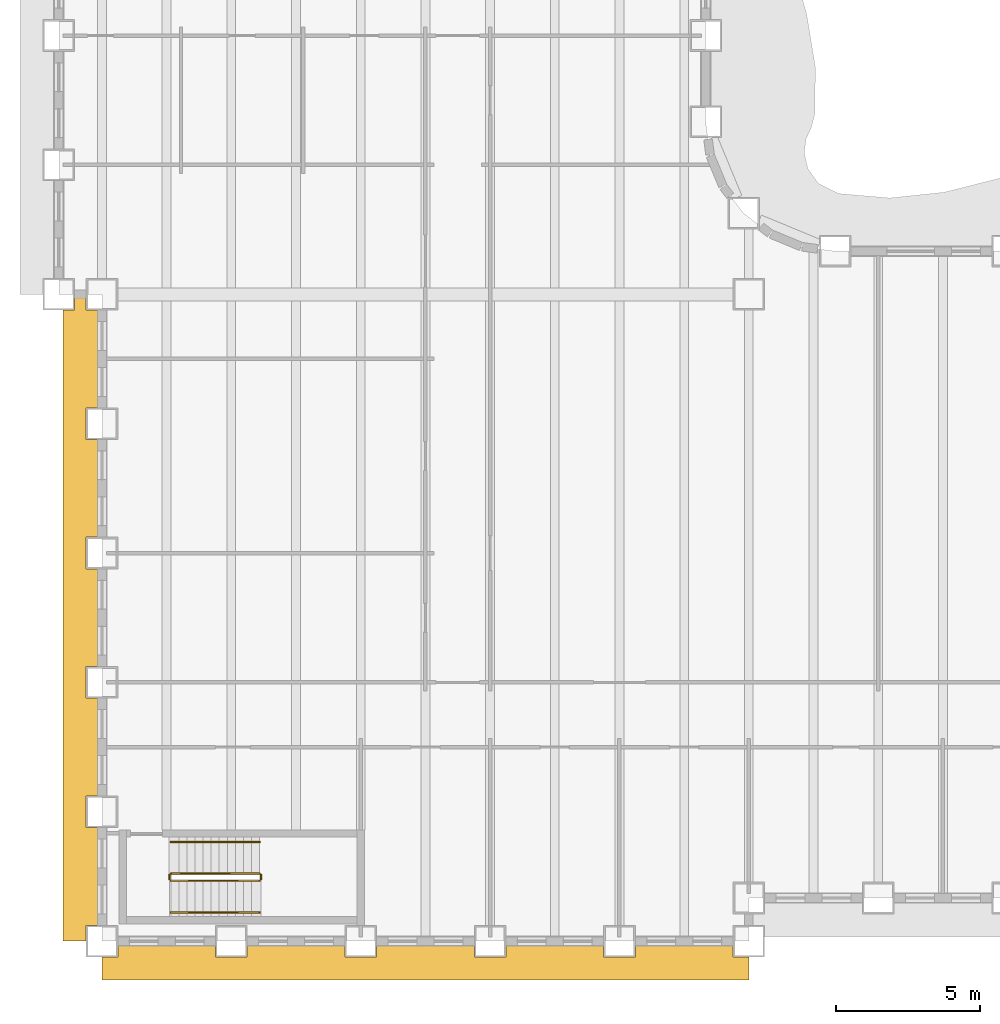
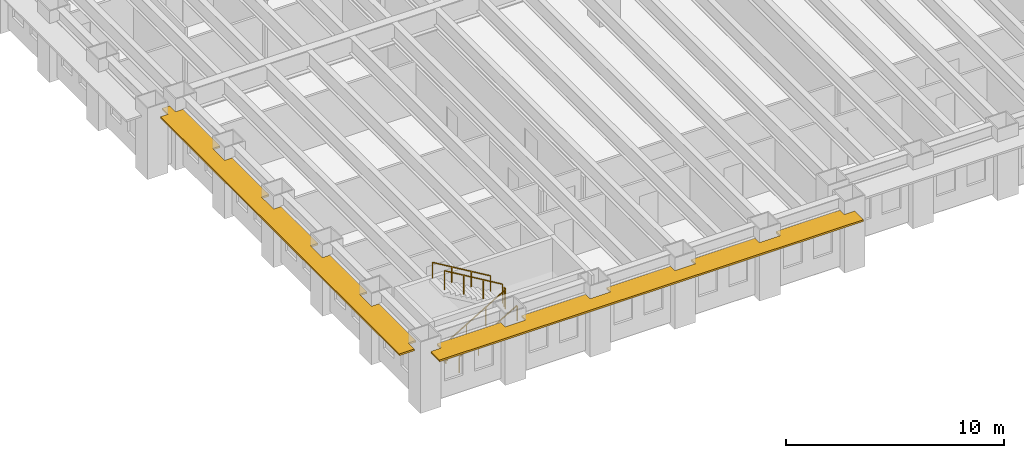
# One storey, part 11 of 16: 6 railings, 2 shading devices.
"""IFC4 building model written with IfcOpenShell, lengths in metres."""

from ifc_helpers import new_model, si_unit, direction, frame, origin, origin_2d, place, context, subcontext, project, spatial, polyline, rectangle, outline, extrude, material, layer, layer_set, type_object, element, save


model = new_model("IFC4")

# Units and contexts
model_context = context("Model", 3, precision=1e-05, world=origin(), true_north=direction((0.0, 1.0)))
body_context = subcontext(model_context, "Body", "Model", "MODEL_VIEW")
ifc_project = project(units=[si_unit("LENGTHUNIT", "METRE"), si_unit("AREAUNIT", "SQUARE_METRE"), si_unit("VOLUMEUNIT", "CUBIC_METRE"), si_unit("PLANEANGLEUNIT", "RADIAN"), si_unit("MASSUNIT", "GRAM", prefix="KILO")], contexts=[model_context])

# Site, building, storey
site_placement = place(None, origin())
site = spatial("IfcSite", under=ifc_project, at=site_placement, CompositionType="ELEMENT")
building_placement = place(site_placement, origin())
building = spatial("IfcBuilding", under=site, at=building_placement, Name="Sennacour Bend Tower", CompositionType="ELEMENT")
storey_placement = place(building_placement, frame((0.0, 0.0, 57.0)))
storey = spatial("IfcBuildingStorey", under=building, at=storey_placement, Name="L12", CompositionType="ELEMENT", Elevation=57.0)

# Railings
ifc_material_1 = material(Name="Stainless steel", Category="steel")
railing_type_1 = type_object("IfcRailingType", Name="RL-GUARD-1100", PredefinedType="GUARDRAIL", material=ifc_material_1)
railing_1_placement = place(storey_placement, frame((2.39990234375, 2.10009765625, 0.166748046875)))
element("IfcRailing", 1, at=railing_1_placement, inside=storey, type_object=railing_type_1, Name="L12 SK1 stair guard 1", PredefinedType="GUARDRAIL", context=body_context, shape_type="SweptSolid", body=[
    extrude(rectangle(XDim=0.048095703125, YDim=0.048095703125, at=origin_2d()), frame((0.0, 0.0, 1.076171875), z_axis=(0.859308565015, 0.0, 0.511457515432), x_axis=(0.0, 1.0, 0.0)), (0.0, 0.0, 1.0), 3.58447265625),
    extrude(rectangle(XDim=0.0419921875, YDim=0.0419921875, at=origin_2d()), origin(), (0.0, 0.0, 1.0), 1.052001953125),
    extrude(rectangle(XDim=0.0419921875, YDim=0.0419921875, at=origin_2d()), frame((1.026611328125, 0.0, 0.611083984375)), (0.0, 0.0, 1.0), 1.052001953125),
    extrude(rectangle(XDim=0.0419921875, YDim=0.0419921875, at=origin_2d()), frame((2.053466796875, 0.0, 1.22216796875)), (0.0, 0.0, 1.0), 1.052001953125),
    extrude(rectangle(XDim=0.0419921875, YDim=0.0419921875, at=origin_2d()), frame((3.080078125, 0.0, 1.833251953125)), (0.0, 0.0, 1.0), 1.052001953125),
])
railing_2_placement = place(storey_placement, frame((5.530029296875, 2.14990234375, 2.0)))
element("IfcRailing", 2, at=railing_2_placement, inside=storey, type_object=railing_type_1, Name="L12 SK1 stair guard 2", PredefinedType="GUARDRAIL", context=body_context, shape_type="SweptSolid", body=[
    extrude(rectangle(XDim=0.048095703125, YDim=0.048095703125, at=origin_2d()), frame((0.0, 0.0, 1.076171875), z_axis=(0.0, 1.0, 0.0), x_axis=(-1.0, 0.0, 0.0)), (0.0, 0.0, 1.0), 0.150146484375),
    extrude(rectangle(XDim=0.0419921875, YDim=0.0419921875, at=origin_2d()), origin(), (0.0, 0.0, 1.0), 1.052001953125),
    extrude(rectangle(XDim=0.0419921875, YDim=0.0419921875, at=origin_2d()), frame((0.0, 0.150146484375, 0.0)), (0.0, 0.0, 1.0), 1.052001953125),
])
railing_3_placement = place(storey_placement, frame((5.47998046875, 2.35009765625, 2.166748046875)))
element("IfcRailing", 3, at=railing_3_placement, inside=storey, type_object=railing_type_1, Name="L12 SK1 stair guard 3", PredefinedType="GUARDRAIL", context=body_context, shape_type="SweptSolid", body=[
    extrude(rectangle(XDim=0.048095703125, YDim=0.048095703125, at=origin_2d()), frame((0.0, 0.0, 1.076171875), z_axis=(-0.859308565015, 0.0, 0.511457515432), x_axis=(0.0, -1.0, 0.0)), (0.0, 0.0, 1.0), 3.58447265625),
    extrude(rectangle(XDim=0.0419921875, YDim=0.0419921875, at=origin_2d()), origin(), (0.0, 0.0, 1.0), 1.052001953125),
    extrude(rectangle(XDim=0.0419921875, YDim=0.0419921875, at=origin_2d()), frame((-1.026611328125, 0.0, 0.611083984375)), (0.0, 0.0, 1.0), 1.052001953125),
    extrude(rectangle(XDim=0.0419921875, YDim=0.0419921875, at=origin_2d()), frame((-2.053466796875, 0.0, 1.22216796875)), (0.0, 0.0, 1.0), 1.052001953125),
    extrude(rectangle(XDim=0.0419921875, YDim=0.0419921875, at=origin_2d()), frame((-3.080078125, 0.0, 1.833251953125)), (0.0, 0.0, 1.0), 1.052001953125),
])
railing_4_placement = place(storey_placement, frame((2.35009765625, 2.14990234375, 0.0)))
element("IfcRailing", 4, at=railing_4_placement, inside=storey, type_object=railing_type_1, Name="L12 SK1 stair guard 4", PredefinedType="GUARDRAIL", context=body_context, shape_type="SweptSolid", body=[
    extrude(rectangle(XDim=0.048095703125, YDim=0.048095703125, at=origin_2d()), frame((0.0, 0.0, 1.076171875), z_axis=(0.0, 1.0, 0.0), x_axis=(-1.0, 0.0, 0.0)), (0.0, 0.0, 1.0), 0.150146484375),
    extrude(rectangle(XDim=0.0419921875, YDim=0.0419921875, at=origin_2d()), origin(), (0.0, 0.0, 1.0), 1.052001953125),
    extrude(rectangle(XDim=0.0419921875, YDim=0.0419921875, at=origin_2d()), frame((0.0, 0.150146484375, 0.0)), (0.0, 0.0, 1.0), 1.052001953125),
])
railing_type_2 = type_object("IfcRailingType", Name="RL-HANDRAIL-900", PredefinedType="HANDRAIL", material=ifc_material_1)
railing_5_placement = place(storey_placement, frame((2.39990234375, 1.0, 0.166748046875)))
element("IfcRailing", 5, at=railing_5_placement, inside=storey, type_object=railing_type_2, Name="L12 SK1 stair handrail 1", PredefinedType="HANDRAIL", context=body_context, shape_type="SweptSolid", body=[
    extrude(rectangle(XDim=0.048095703125, YDim=0.048095703125, at=origin_2d()), frame((0.0, 0.0, 0.8759765625), z_axis=(0.859308565015, 0.0, 0.511457515432), x_axis=(0.0, 1.0, 0.0)), (0.0, 0.0, 1.0), 3.58447265625),
    extrude(rectangle(XDim=0.0419921875, YDim=0.0419921875, at=origin_2d()), origin(), (0.0, 0.0, 1.0), 0.851806640625),
    extrude(rectangle(XDim=0.0419921875, YDim=0.0419921875, at=origin_2d()), frame((1.026611328125, 0.0, 0.611083984375)), (0.0, 0.0, 1.0), 0.851806640625),
    extrude(rectangle(XDim=0.0419921875, YDim=0.0419921875, at=origin_2d()), frame((2.053466796875, 0.0, 1.22216796875)), (0.0, 0.0, 1.0), 0.851806640625),
    extrude(rectangle(XDim=0.0419921875, YDim=0.0419921875, at=origin_2d()), frame((3.080078125, 0.0, 1.833251953125)), (0.0, 0.0, 1.0), 0.851806640625),
])
railing_6_placement = place(storey_placement, frame((5.47998046875, 3.449951171875, 2.166748046875)))
element("IfcRailing", 6, at=railing_6_placement, inside=storey, type_object=railing_type_2, Name="L12 SK1 stair handrail 2", PredefinedType="HANDRAIL", context=body_context, shape_type="SweptSolid", body=[
    extrude(rectangle(XDim=0.048095703125, YDim=0.048095703125, at=origin_2d()), frame((0.0, 0.0, 0.8759765625), z_axis=(-0.859308565015, 0.0, 0.511457515432), x_axis=(0.0, -1.0, 0.0)), (0.0, 0.0, 1.0), 3.58447265625),
    extrude(rectangle(XDim=0.0419921875, YDim=0.0419921875, at=origin_2d()), origin(), (0.0, 0.0, 1.0), 0.851806640625),
    extrude(rectangle(XDim=0.0419921875, YDim=0.0419921875, at=origin_2d()), frame((-1.026611328125, 0.0, 0.611083984375)), (0.0, 0.0, 1.0), 0.851806640625),
    extrude(rectangle(XDim=0.0419921875, YDim=0.0419921875, at=origin_2d()), frame((-2.053466796875, 0.0, 1.22216796875)), (0.0, 0.0, 1.0), 0.851806640625),
    extrude(rectangle(XDim=0.0419921875, YDim=0.0419921875, at=origin_2d()), frame((-3.080078125, 0.0, 1.833251953125)), (0.0, 0.0, 1.0), 0.851806640625),
])

# Shading devices
ifc_material_2 = material(Name="Bronze anodised aluminium", Category="aluminium")
ifc_layer = layer(ifc_material_2, 0.10009765625, Name="Bronze anodised aluminium", Category="aluminium")
ifc_layer_set = layer_set([ifc_layer], Name="Bronze anodised aluminium")
shading_device_type = type_object("IfcShadingDeviceType", Name="SUNSHADE BAND STRAIGHT", PredefinedType="USERDEFINED", material=ifc_layer_set)
shading_device_1_placement = place(storey_placement, frame((0.0, 0.0, 3.0439453125)))
element("IfcShadingDevice", 7, at=shading_device_1_placement, inside=storey, type_object=shading_device_type, Name="Sunshade band L12 K outer face", ObjectType="SUNSHADE", PredefinedType="USERDEFINED", context=body_context, shape_type="SweptSolid", body=[
    extrude(outline(polyline([(3.949951171875, -0.14990234375), (3.949951171875, -0.550048828125), (5.050048828125, -0.550048828125), (5.050048828125, -0.14990234375), (8.449951171875, -0.14990234375), (8.449951171875, -0.550048828125), (9.550048828125, -0.550048828125), (9.550048828125, -0.14990234375), (12.949951171875, -0.14990234375), (12.949951171875, -0.550048828125), (14.050048828125, -0.550048828125), (14.050048828125, -0.14990234375), (17.449951171875, -0.14990234375), (17.449951171875, -0.550048828125), (18.550048828125, -0.550048828125), (18.550048828125, -0.14990234375), (21.949951171875, -0.14990234375), (21.949951171875, -0.550048828125), (22.5, -0.550048828125), (22.5, -1.35009765625), (0.0, -1.35009765625), (0.0, -0.550048828125), (0.550048828125, -0.550048828125), (0.550048828125, -0.14990234375), (3.949951171875, -0.14990234375)])), origin(), (0.0, 0.0, 1.0), 0.10009765625),
])
shading_device_2_placement = place(storey_placement, frame((0.0, 0.0, 3.0439453125)))
element("IfcShadingDevice", 8, at=shading_device_2_placement, inside=storey, type_object=shading_device_type, Name="Sunshade band L12 K outer face", ObjectType="SUNSHADE", PredefinedType="USERDEFINED", context=body_context, shape_type="SweptSolid", body=[
    extrude(outline(polyline([(-0.14990234375, 18.550048828125), (-0.550048828125, 18.550048828125), (-0.550048828125, 17.449951171875), (-0.14990234375, 17.449951171875), (-0.14990234375, 14.050048828125), (-0.550048828125, 14.050048828125), (-0.550048828125, 12.949951171875), (-0.14990234375, 12.949951171875), (-0.14990234375, 9.550048828125), (-0.550048828125, 9.550048828125), (-0.550048828125, 8.449951171875), (-0.14990234375, 8.449951171875), (-0.14990234375, 5.050048828125), (-0.550048828125, 5.050048828125), (-0.550048828125, 3.949951171875), (-0.14990234375, 3.949951171875), (-0.14990234375, 0.550048828125), (-0.550048828125, 0.550048828125), (-0.550048828125, 0.0), (-1.35009765625, 0.0), (-1.35009765625, 21.949951171875), (-0.949951171875, 21.949951171875), (-0.949951171875, 22.5), (-0.550048828125, 22.5), (-0.550048828125, 21.949951171875), (-0.14990234375, 21.949951171875), (-0.14990234375, 18.550048828125)])), origin(), (0.0, 0.0, 1.0), 0.10009765625),
])

save(model, "model.ifc")
